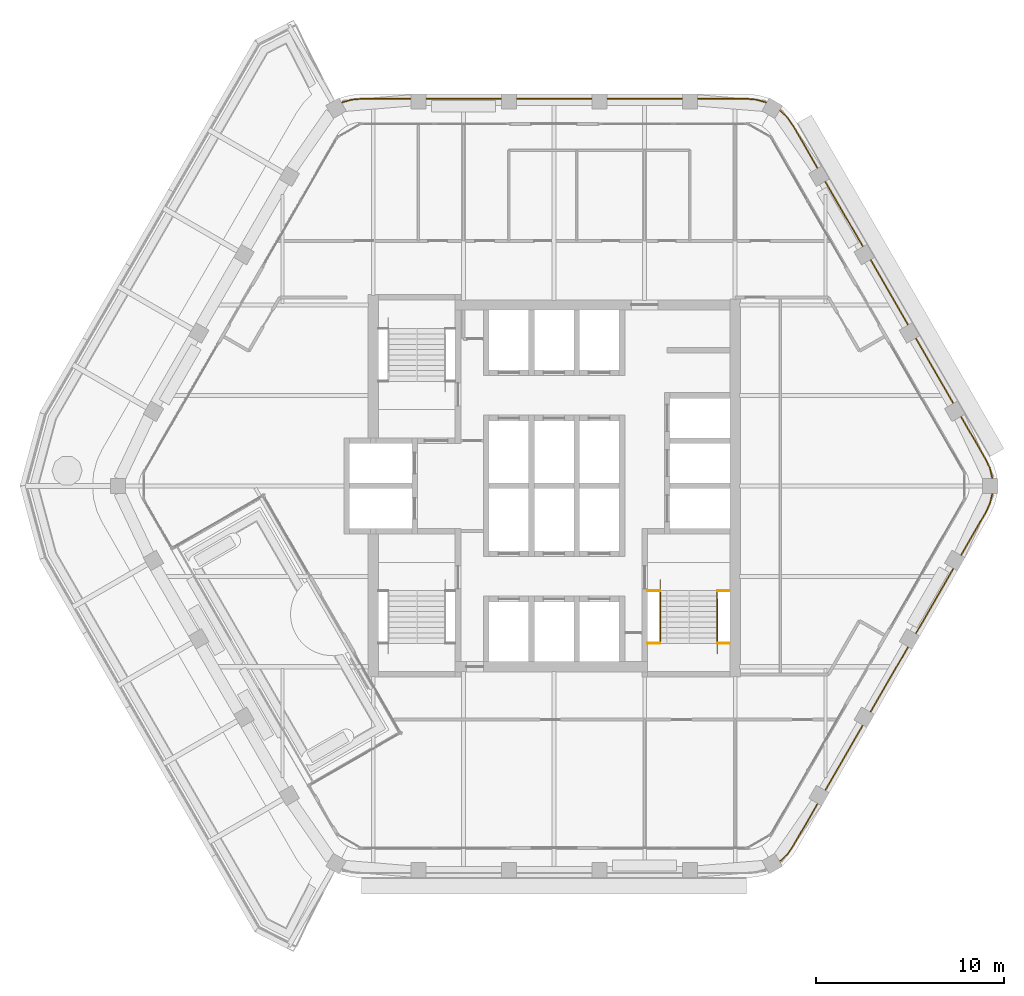
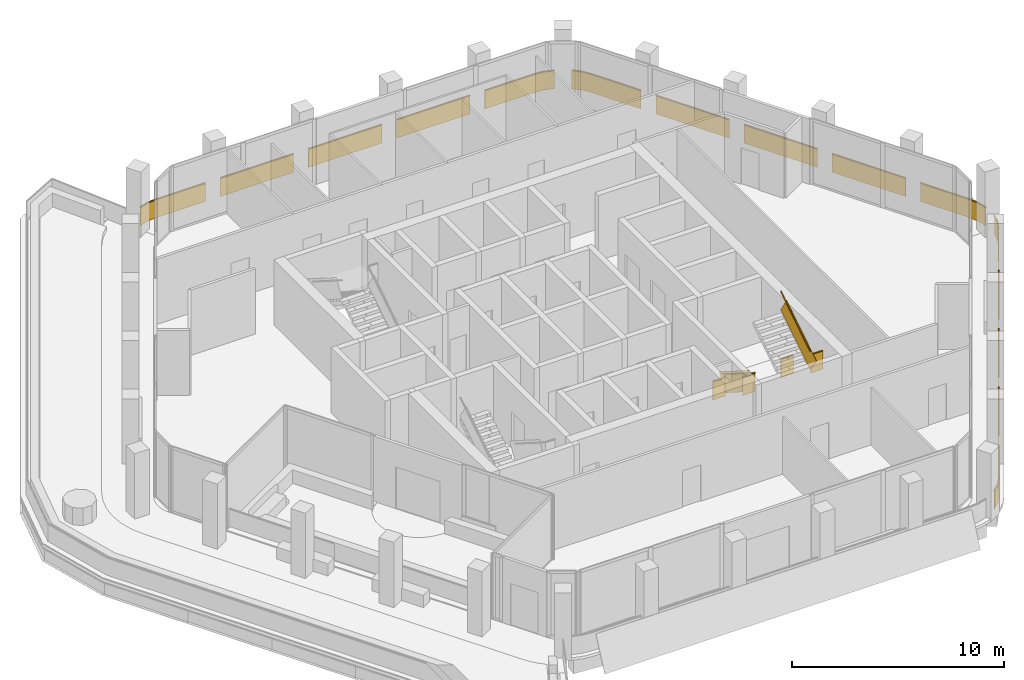
# One storey, part 15 of 15: 5 railings.
"""IFC4 building model written with IfcOpenShell, lengths in metres."""

from ifc_helpers import new_model, si_unit, direction, frame, frame_2d, origin, origin_2d, place, context, subcontext, project, spatial, rectangle, extrude, material, type_object, element, save


model = new_model("IFC4")

# Units and contexts
model_context = context("Model", 3, precision=1e-05, world=origin(), true_north=direction((0.0, 1.0)))
body_context = subcontext(model_context, "Body", "Model", "MODEL_VIEW")
ifc_project = project(units=[si_unit("LENGTHUNIT", "METRE"), si_unit("AREAUNIT", "SQUARE_METRE"), si_unit("VOLUMEUNIT", "CUBIC_METRE"), si_unit("PLANEANGLEUNIT", "RADIAN"), si_unit("MASSUNIT", "GRAM", prefix="KILO")], contexts=[model_context])

# Site, building, storey
site_placement = place(None, origin())
site = spatial("IfcSite", under=ifc_project, at=site_placement, CompositionType="ELEMENT")
building_placement = place(site_placement, origin())
building = spatial("IfcBuilding", under=site, at=building_placement, Name="Kolab Exchange Tower", CompositionType="ELEMENT")
storey_placement = place(building_placement, frame((0.0, 0.0, 238.39990234375)))
storey = spatial("IfcBuildingStorey", under=building, at=storey_placement, Name="L52", CompositionType="ELEMENT", Elevation=238.39990234375)

# Railings
ifc_material_1 = material(Name="Stainless steel 316", Category="steel")
railing_type_1 = type_object("IfcRailingType", Name="GUARD 1100", PredefinedType="GUARDRAIL", material=ifc_material_1)
railing_1_placement = place(storey_placement, frame((4.949951171875, -5.550048828125, 0.0)))
element("IfcRailing", 1, at=railing_1_placement, inside=storey, type_object=railing_type_1, Name="Guard ST2", PredefinedType="GUARDRAIL", context=body_context, shape_type="SweptSolid", body=[
    extrude(rectangle(XDim=0.05, YDim=0.05, at=origin_2d()), frame((0.0, 0.0, 1.0751953125), z_axis=(1.0, 0.0, 0.0), x_axis=(0.0, 1.0, 0.0)), (0.0, 0.0, 1.0), 0.677490234375),
    extrude(rectangle(XDim=0.012, YDim=1.05009765625, at=frame_2d((0.0, 0.525146484375))), frame((0.0, 0.0, 0.0), z_axis=(1.0, 0.0, 0.0), x_axis=(0.0, 1.0, 0.0)), (0.0, 0.0, 1.0), 0.677490234375),
    extrude(rectangle(XDim=0.05, YDim=0.05, at=origin_2d()), frame((3.697509765625, 0.0, 1.0751953125), z_axis=(1.0, 0.0, 0.0), x_axis=(0.0, 1.0, 0.0)), (0.0, 0.0, 1.0), 0.677490234375),
    extrude(rectangle(XDim=0.012, YDim=1.05009765625, at=frame_2d((0.0, 0.525146484375))), frame((3.697509765625, 0.0, 0.0), z_axis=(1.0, 0.0, 0.0), x_axis=(0.0, 1.0, 0.0)), (0.0, 0.0, 1.0), 0.677490234375),
    extrude(rectangle(XDim=0.05, YDim=0.05, at=origin_2d()), frame((0.0, -2.800048828125, 3.025390625), z_axis=(1.0, 0.0, 0.0), x_axis=(0.0, 1.0, 0.0)), (0.0, 0.0, 1.0), 0.677490234375),
    extrude(rectangle(XDim=0.012, YDim=1.05009765625, at=frame_2d((0.0, 0.525146484375))), frame((0.0, -2.800048828125, 1.9501953125), z_axis=(1.0, 0.0, 0.0), x_axis=(0.0, 1.0, 0.0)), (0.0, 0.0, 1.0), 0.677490234375),
    extrude(rectangle(XDim=0.05, YDim=0.05, at=origin_2d()), frame((3.697509765625, -2.800048828125, 3.025390625), z_axis=(1.0, 0.0, 0.0), x_axis=(0.0, 1.0, 0.0)), (0.0, 0.0, 1.0), 0.677490234375),
    extrude(rectangle(XDim=0.012, YDim=1.05009765625, at=frame_2d((0.0, 0.525146484375))), frame((3.697509765625, -2.800048828125, 1.9501953125), z_axis=(1.0, 0.0, 0.0), x_axis=(0.0, 1.0, 0.0)), (0.0, 0.0, 1.0), 0.677490234375),
])
railing_2_placement = place(storey_placement, frame((5.62744140625, -5.550048828125, 0.177490234375)))
element("IfcRailing", 2, at=railing_2_placement, inside=storey, type_object=railing_type_1, Name="Handrail guard ST2", PredefinedType="GUARDRAIL", context=body_context, shape_type="SweptSolid", body=[
    extrude(rectangle(XDim=0.05, YDim=0.05, at=origin_2d()), frame((0.0, 0.0, 1.0751953125), z_axis=(0.0, -0.844908973607, 0.534910110503), x_axis=(1.0, 0.0, 0.0)), (0.0, 0.0, 1.0), 3.31396484375),
    extrude(rectangle(XDim=0.012, YDim=1.05009765625, at=frame_2d((0.0, 0.525146484375))), frame((0.0, 0.0, 0.0), z_axis=(0.0, -0.844908973607, 0.534910110503), x_axis=(1.0, 0.0, 0.0)), (0.0, 0.0, 1.0), 3.31396484375),
    extrude(rectangle(XDim=0.05, YDim=0.05, at=origin_2d()), frame((3.02001953125, -2.800048828125, 3.025146484375), z_axis=(0.0, 0.844908973607, 0.534910110503), x_axis=(-1.0, 0.0, 0.0)), (0.0, 0.0, 1.0), 3.31396484375),
    extrude(rectangle(XDim=0.012, YDim=1.05009765625, at=frame_2d((0.0, 0.525146484375))), frame((3.02001953125, -2.800048828125, 1.949951171875), z_axis=(0.0, 0.844908973607, 0.534910110503), x_axis=(-1.0, 0.0, 0.0)), (0.0, 0.0, 1.0), 3.31396484375),
])
ifc_material_2 = material(Name="Steel S235", Category="steel")
railing_type_2 = type_object("IfcRailingType", Name="GUARD 1100 GLASS BALUSTRADE AND STEEL TOP RAIL", PredefinedType="GUARDRAIL", material=ifc_material_2)
railing_3_placement = place(storey_placement, frame((11.280517578125, 20.335205078125, 0.0)))
element("IfcRailing", 3, at=railing_3_placement, inside=storey, type_object=railing_type_2, Name="Guard", PredefinedType="GUARDRAIL", context=body_context, shape_type="SweptSolid", body=[
    extrude(rectangle(XDim=0.05, YDim=0.05, at=origin_2d()), frame((0.0, 0.0, 1.0751953125), z_axis=(-0.959212061764, 0.282687496304, 0.0), x_axis=(-0.282687496304, -0.959212061764, 0.0)), (0.0, 0.0, 1.0), 0.557861328125),
    extrude(rectangle(XDim=0.012, YDim=1.05009765625, at=frame_2d((0.0, 0.525146484375))), frame((0.0, 0.0, 0.0), z_axis=(-0.959212061764, 0.282687496304, 0.0), x_axis=(-0.282687496304, -0.959212061764, 0.0)), (0.0, 0.0, 1.0), 0.557861328125),
    extrude(rectangle(XDim=0.05, YDim=0.05, at=origin_2d()), frame((-0.53515625, 0.15771484375, 1.0751953125), z_axis=(-0.996196482496, 0.087135344505, 0.0), x_axis=(-0.087135344505, -0.996196482496, 0.0)), (0.0, 0.0, 1.0), 0.47900390625),
    extrude(rectangle(XDim=0.012, YDim=1.05009765625, at=frame_2d((0.0, 0.525146484375))), frame((-0.53515625, 0.15771484375, 0.0), z_axis=(-0.996196482496, 0.087135344505, 0.0), x_axis=(-0.087135344505, -0.996196482496, 0.0)), (0.0, 0.0, 1.0), 0.47900390625),
    extrude(rectangle(XDim=0.05, YDim=0.05, at=origin_2d()), frame((-1.012451171875, 0.199462890625, 1.0751953125), z_axis=(-1.0, 0.0, 0.0), x_axis=(0.0, -1.0, 0.0)), (0.0, 0.0, 1.0), 2.66796875),
    extrude(rectangle(XDim=0.012, YDim=1.05009765625, at=frame_2d((0.0, 0.525146484375))), frame((-1.012451171875, 0.199462890625, 0.0), z_axis=(-1.0, 0.0, 0.0), x_axis=(0.0, -1.0, 0.0)), (0.0, 0.0, 1.0), 2.66796875),
    extrude(rectangle(XDim=0.05, YDim=0.05, at=origin_2d()), frame((-4.48046875, 0.199462890625, 1.0751953125), z_axis=(-1.0, 0.0, 0.0), x_axis=(0.0, -1.0, 0.0)), (0.0, 0.0, 1.0), 4.0),
    extrude(rectangle(XDim=0.012, YDim=1.05009765625, at=frame_2d((0.0, 0.525146484375))), frame((-4.48046875, 0.199462890625, 0.0), z_axis=(-1.0, 0.0, 0.0), x_axis=(0.0, -1.0, 0.0)), (0.0, 0.0, 1.0), 4.0),
    extrude(rectangle(XDim=0.05, YDim=0.05, at=origin_2d()), frame((-9.280517578125, 0.199462890625, 1.0751953125), z_axis=(-1.0, 0.0, 0.0), x_axis=(0.0, -1.0, 0.0)), (0.0, 0.0, 1.0), 4.0),
    extrude(rectangle(XDim=0.012, YDim=1.05009765625, at=frame_2d((0.0, 0.525146484375))), frame((-9.280517578125, 0.199462890625, 0.0), z_axis=(-1.0, 0.0, 0.0), x_axis=(0.0, -1.0, 0.0)), (0.0, 0.0, 1.0), 4.0),
    extrude(rectangle(XDim=0.05, YDim=0.05, at=origin_2d()), frame((-14.08056640625, 0.199462890625, 1.0751953125), z_axis=(-1.0, 0.0, 0.0), x_axis=(0.0, -1.0, 0.0)), (0.0, 0.0, 1.0), 4.0),
    extrude(rectangle(XDim=0.012, YDim=1.05009765625, at=frame_2d((0.0, 0.525146484375))), frame((-14.08056640625, 0.199462890625, 0.0), z_axis=(-1.0, 0.0, 0.0), x_axis=(0.0, -1.0, 0.0)), (0.0, 0.0, 1.0), 4.0),
    extrude(rectangle(XDim=0.05, YDim=0.05, at=origin_2d()), frame((-18.880615234375, 0.199462890625, 1.0751953125), z_axis=(-1.0, 0.0, 0.0), x_axis=(0.0, -1.0, 0.0)), (0.0, 0.0, 1.0), 2.66796875),
    extrude(rectangle(XDim=0.012, YDim=1.05009765625, at=frame_2d((0.0, 0.525146484375))), frame((-18.880615234375, 0.199462890625, 0.0), z_axis=(-1.0, 0.0, 0.0), x_axis=(0.0, -1.0, 0.0)), (0.0, 0.0, 1.0), 2.66796875),
    extrude(rectangle(XDim=0.05, YDim=0.05, at=origin_2d()), frame((-21.548583984375, 0.199462890625, 1.0751953125), z_axis=(-0.996196482496, -0.087135344505, 0.0), x_axis=(0.087135344505, -0.996196482496, 0.0)), (0.0, 0.0, 1.0), 0.47900390625),
    extrude(rectangle(XDim=0.012, YDim=1.05009765625, at=frame_2d((0.0, 0.525146484375))), frame((-21.548583984375, 0.199462890625, 0.0), z_axis=(-0.996196482496, -0.087135344505, 0.0), x_axis=(0.087135344505, -0.996196482496, 0.0)), (0.0, 0.0, 1.0), 0.47900390625),
    extrude(rectangle(XDim=0.05, YDim=0.05, at=origin_2d()), frame((-22.02587890625, 0.15771484375, 1.0751953125), z_axis=(-0.959212061764, -0.282687496304, 0.0), x_axis=(0.282687496304, -0.959212061764, 0.0)), (0.0, 0.0, 1.0), 0.557861328125),
    extrude(rectangle(XDim=0.012, YDim=1.05009765625, at=frame_2d((0.0, 0.525146484375))), frame((-22.02587890625, 0.15771484375, 0.0), z_axis=(-0.959212061764, -0.282687496304, 0.0), x_axis=(0.282687496304, -0.959212061764, 0.0)), (0.0, 0.0, 1.0), 0.557861328125),
])
railing_4_placement = place(storey_placement, frame((23.2509765625, 0.3984375, 0.0)))
element("IfcRailing", 4, at=railing_4_placement, inside=storey, type_object=railing_type_2, Name="Guard", PredefinedType="GUARDRAIL", context=body_context, shape_type="SweptSolid", body=[
    extrude(rectangle(XDim=0.05, YDim=0.05, at=origin_2d()), frame((0.0, 0.0, 1.0751953125), z_axis=(-0.234597748196, 0.972092534968, 0.0), x_axis=(-0.972092534968, -0.234597748196, 0.0)), (0.0, 0.0, 1.0), 0.557861328125),
    extrude(rectangle(XDim=0.012, YDim=1.05009765625, at=frame_2d((0.0, 0.525146484375))), frame((0.0, 0.0, 0.0), z_axis=(-0.234597748196, 0.972092534968, 0.0), x_axis=(-0.972092534968, -0.234597748196, 0.0)), (0.0, 0.0, 1.0), 0.557861328125),
    extrude(rectangle(XDim=0.05, YDim=0.05, at=origin_2d()), frame((-0.130859375, 0.542236328125, 1.0751953125), z_axis=(-0.422801802984, 0.906222177721, 0.0), x_axis=(-0.906222177721, -0.422801802984, 0.0)), (0.0, 0.0, 1.0), 0.479248046875),
    extrude(rectangle(XDim=0.012, YDim=1.05009765625, at=frame_2d((0.0, 0.525146484375))), frame((-0.130859375, 0.542236328125, 0.0), z_axis=(-0.422801802984, 0.906222177721, 0.0), x_axis=(-0.906222177721, -0.422801802984, 0.0)), (0.0, 0.0, 1.0), 0.479248046875),
    extrude(rectangle(XDim=0.05, YDim=0.05, at=origin_2d()), frame((-0.33349609375, 0.9765625, 1.0751953125), z_axis=(-0.499997052475, 0.866027105532, 0.0), x_axis=(-0.866027105532, -0.499997052475, 0.0)), (0.0, 0.0, 1.0), 2.66796875),
    extrude(rectangle(XDim=0.012, YDim=1.05009765625, at=frame_2d((0.0, 0.525146484375))), frame((-0.33349609375, 0.9765625, 0.0), z_axis=(-0.499997052475, 0.866027105532, 0.0), x_axis=(-0.866027105532, -0.499997052475, 0.0)), (0.0, 0.0, 1.0), 2.66796875),
    extrude(rectangle(XDim=0.05, YDim=0.05, at=origin_2d()), frame((-2.0673828125, 3.97998046875, 1.0751953125), z_axis=(-0.49999894854, 0.866026010844, 0.0), x_axis=(-0.866026010844, -0.49999894854, 0.0)), (0.0, 0.0, 1.0), 4.0),
    extrude(rectangle(XDim=0.012, YDim=1.05009765625, at=frame_2d((0.0, 0.525146484375))), frame((-2.0673828125, 3.97998046875, 0.0), z_axis=(-0.49999894854, 0.866026010844, 0.0), x_axis=(-0.866026010844, -0.49999894854, 0.0)), (0.0, 0.0, 1.0), 4.0),
    extrude(rectangle(XDim=0.05, YDim=0.05, at=origin_2d()), frame((-4.467529296875, 8.13671875, 1.0751953125), z_axis=(-0.49999894854, 0.866026010844, 0.0), x_axis=(-0.866026010844, -0.49999894854, 0.0)), (0.0, 0.0, 1.0), 4.0),
    extrude(rectangle(XDim=0.012, YDim=1.05009765625, at=frame_2d((0.0, 0.525146484375))), frame((-4.467529296875, 8.13671875, 0.0), z_axis=(-0.49999894854, 0.866026010844, 0.0), x_axis=(-0.866026010844, -0.49999894854, 0.0)), (0.0, 0.0, 1.0), 4.0),
    extrude(rectangle(XDim=0.05, YDim=0.05, at=origin_2d()), frame((-6.867431640625, 12.293701171875, 1.0751953125), z_axis=(-0.49999894854, 0.866026010844, 0.0), x_axis=(-0.866026010844, -0.49999894854, 0.0)), (0.0, 0.0, 1.0), 4.0),
    extrude(rectangle(XDim=0.012, YDim=1.05009765625, at=frame_2d((0.0, 0.525146484375))), frame((-6.867431640625, 12.293701171875, 0.0), z_axis=(-0.49999894854, 0.866026010844, 0.0), x_axis=(-0.866026010844, -0.49999894854, 0.0)), (0.0, 0.0, 1.0), 4.0),
    extrude(rectangle(XDim=0.05, YDim=0.05, at=origin_2d()), frame((-9.267578125, 16.45068359375, 1.0751953125), z_axis=(-0.499997052475, 0.866027105532, 0.0), x_axis=(-0.866027105532, -0.499997052475, 0.0)), (0.0, 0.0, 1.0), 2.66796875),
    extrude(rectangle(XDim=0.012, YDim=1.05009765625, at=frame_2d((0.0, 0.525146484375))), frame((-9.267578125, 16.45068359375, 0.0), z_axis=(-0.499997052475, 0.866027105532, 0.0), x_axis=(-0.866027105532, -0.499997052475, 0.0)), (0.0, 0.0, 1.0), 2.66796875),
    extrude(rectangle(XDim=0.05, YDim=0.05, at=origin_2d()), frame((-10.6015625, 18.76123046875, 1.0751953125), z_axis=(-0.573599091554, 0.819136180478, 0.0), x_axis=(-0.819136180478, -0.573599091554, 0.0)), (0.0, 0.0, 1.0), 0.479248046875),
    extrude(rectangle(XDim=0.012, YDim=1.05009765625, at=frame_2d((0.0, 0.525146484375))), frame((-10.6015625, 18.76123046875, 0.0), z_axis=(-0.573599091554, 0.819136180478, 0.0), x_axis=(-0.819136180478, -0.573599091554, 0.0)), (0.0, 0.0, 1.0), 0.479248046875),
    extrude(rectangle(XDim=0.05, YDim=0.05, at=origin_2d()), frame((-10.87646484375, 19.15380859375, 1.0751953125), z_axis=(-0.724189990991, 0.689600505327, 0.0), x_axis=(-0.689600505327, -0.724189990991, 0.0)), (0.0, 0.0, 1.0), 0.5576171875),
    extrude(rectangle(XDim=0.012, YDim=1.05009765625, at=frame_2d((0.0, 0.525146484375))), frame((-10.87646484375, 19.15380859375, 0.0), z_axis=(-0.724189990991, 0.689600505327, 0.0), x_axis=(-0.689600505327, -0.724189990991, 0.0)), (0.0, 0.0, 1.0), 0.5576171875),
])
railing_5_placement = place(storey_placement, frame((11.970703125, -19.936767578125, 0.0)))
element("IfcRailing", 5, at=railing_5_placement, inside=storey, type_object=railing_type_2, Name="Guard", PredefinedType="GUARDRAIL", context=body_context, shape_type="SweptSolid", body=[
    extrude(rectangle(XDim=0.05, YDim=0.05, at=origin_2d()), frame((0.0, 0.0, 1.0751953125), z_axis=(0.724189990991, 0.689600505327, 0.0), x_axis=(-0.689600505327, 0.724189990991, 0.0)), (0.0, 0.0, 1.0), 0.5576171875),
    extrude(rectangle(XDim=0.012, YDim=1.05009765625, at=frame_2d((0.0, 0.525146484375))), frame((0.0, 0.0, 0.0), z_axis=(0.724189990991, 0.689600505327, 0.0), x_axis=(-0.689600505327, 0.724189990991, 0.0)), (0.0, 0.0, 1.0), 0.5576171875),
    extrude(rectangle(XDim=0.05, YDim=0.05, at=origin_2d()), frame((0.40380859375, 0.384521484375, 1.0751953125), z_axis=(0.573599091554, 0.819136180478, 0.0), x_axis=(-0.819136180478, 0.573599091554, 0.0)), (0.0, 0.0, 1.0), 0.479248046875),
    extrude(rectangle(XDim=0.012, YDim=1.05009765625, at=frame_2d((0.0, 0.525146484375))), frame((0.40380859375, 0.384521484375, 0.0), z_axis=(0.573599091554, 0.819136180478, 0.0), x_axis=(-0.819136180478, 0.573599091554, 0.0)), (0.0, 0.0, 1.0), 0.479248046875),
    extrude(rectangle(XDim=0.05, YDim=0.05, at=origin_2d()), frame((0.6787109375, 0.777099609375, 1.0751953125), z_axis=(0.499997052475, 0.866027105532, 0.0), x_axis=(-0.866027105532, 0.499997052475, 0.0)), (0.0, 0.0, 1.0), 2.66796875),
    extrude(rectangle(XDim=0.012, YDim=1.05009765625, at=frame_2d((0.0, 0.525146484375))), frame((0.6787109375, 0.777099609375, 0.0), z_axis=(0.499997052475, 0.866027105532, 0.0), x_axis=(-0.866027105532, 0.499997052475, 0.0)), (0.0, 0.0, 1.0), 2.66796875),
    extrude(rectangle(XDim=0.05, YDim=0.05, at=origin_2d()), frame((2.412841796875, 3.780517578125, 1.0751953125), z_axis=(0.49999894854, 0.866026010844, 0.0), x_axis=(-0.866026010844, 0.49999894854, 0.0)), (0.0, 0.0, 1.0), 4.0),
    extrude(rectangle(XDim=0.012, YDim=1.05009765625, at=frame_2d((0.0, 0.525146484375))), frame((2.412841796875, 3.780517578125, 0.0), z_axis=(0.49999894854, 0.866026010844, 0.0), x_axis=(-0.866026010844, 0.49999894854, 0.0)), (0.0, 0.0, 1.0), 4.0),
    extrude(rectangle(XDim=0.05, YDim=0.05, at=origin_2d()), frame((4.812744140625, 7.9375, 1.0751953125), z_axis=(0.49999894854, 0.866026010844, 0.0), x_axis=(-0.866026010844, 0.49999894854, 0.0)), (0.0, 0.0, 1.0), 4.0),
    extrude(rectangle(XDim=0.012, YDim=1.05009765625, at=frame_2d((0.0, 0.525146484375))), frame((4.812744140625, 7.9375, 0.0), z_axis=(0.49999894854, 0.866026010844, 0.0), x_axis=(-0.866026010844, 0.49999894854, 0.0)), (0.0, 0.0, 1.0), 4.0),
    extrude(rectangle(XDim=0.05, YDim=0.05, at=origin_2d()), frame((7.212890625, 12.09423828125, 1.0751953125), z_axis=(0.49999894854, 0.866026010844, 0.0), x_axis=(-0.866026010844, 0.49999894854, 0.0)), (0.0, 0.0, 1.0), 4.0),
    extrude(rectangle(XDim=0.012, YDim=1.05009765625, at=frame_2d((0.0, 0.525146484375))), frame((7.212890625, 12.09423828125, 0.0), z_axis=(0.49999894854, 0.866026010844, 0.0), x_axis=(-0.866026010844, 0.49999894854, 0.0)), (0.0, 0.0, 1.0), 4.0),
    extrude(rectangle(XDim=0.05, YDim=0.05, at=origin_2d()), frame((9.61279296875, 16.251220703125, 1.0751953125), z_axis=(0.499997052475, 0.866027105532, 0.0), x_axis=(-0.866027105532, 0.499997052475, 0.0)), (0.0, 0.0, 1.0), 2.66796875),
    extrude(rectangle(XDim=0.012, YDim=1.05009765625, at=frame_2d((0.0, 0.525146484375))), frame((9.61279296875, 16.251220703125, 0.0), z_axis=(0.499997052475, 0.866027105532, 0.0), x_axis=(-0.866027105532, 0.499997052475, 0.0)), (0.0, 0.0, 1.0), 2.66796875),
    extrude(rectangle(XDim=0.05, YDim=0.05, at=origin_2d()), frame((10.94677734375, 18.561767578125, 1.0751953125), z_axis=(0.422801802984, 0.906222177721, 0.0), x_axis=(-0.906222177721, 0.422801802984, 0.0)), (0.0, 0.0, 1.0), 0.479248046875),
    extrude(rectangle(XDim=0.012, YDim=1.05009765625, at=frame_2d((0.0, 0.525146484375))), frame((10.94677734375, 18.561767578125, 0.0), z_axis=(0.422801802984, 0.906222177721, 0.0), x_axis=(-0.906222177721, 0.422801802984, 0.0)), (0.0, 0.0, 1.0), 0.479248046875),
    extrude(rectangle(XDim=0.05, YDim=0.05, at=origin_2d()), frame((11.1494140625, 18.99609375, 1.0751953125), z_axis=(0.234597748196, 0.972092534968, 0.0), x_axis=(-0.972092534968, 0.234597748196, 0.0)), (0.0, 0.0, 1.0), 0.557861328125),
    extrude(rectangle(XDim=0.012, YDim=1.05009765625, at=frame_2d((0.0, 0.525146484375))), frame((11.1494140625, 18.99609375, 0.0), z_axis=(0.234597748196, 0.972092534968, 0.0), x_axis=(-0.972092534968, 0.234597748196, 0.0)), (0.0, 0.0, 1.0), 0.557861328125),
])

save(model, "model.ifc")
